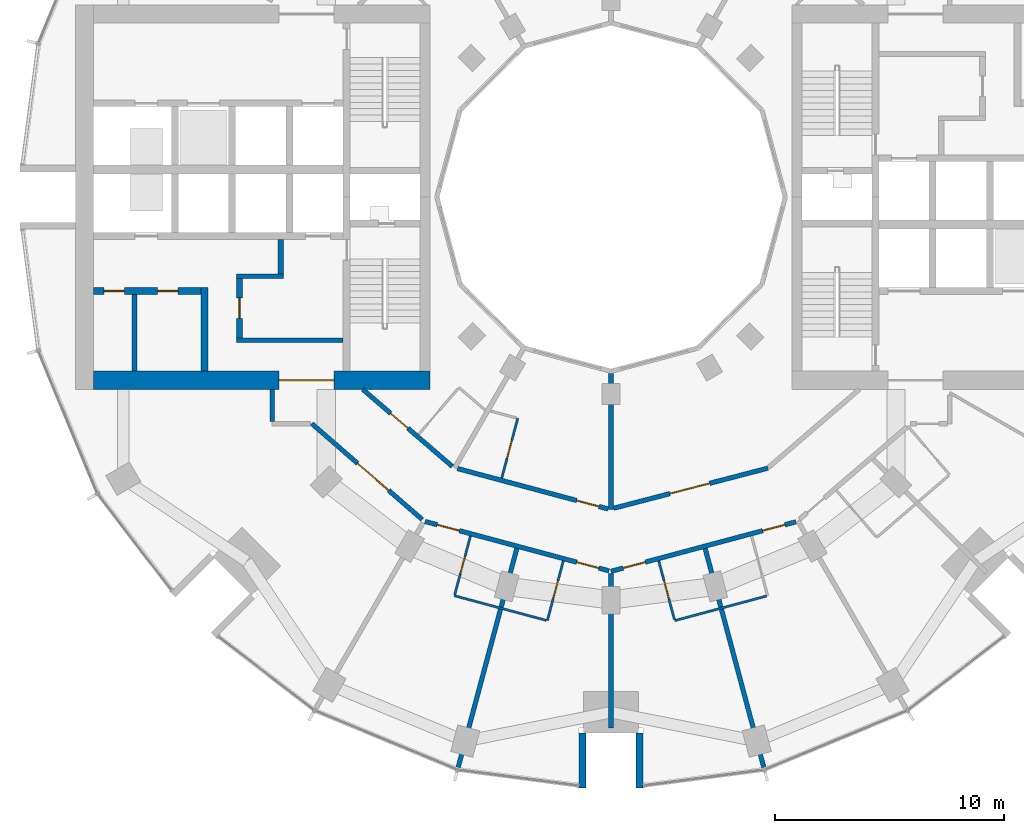
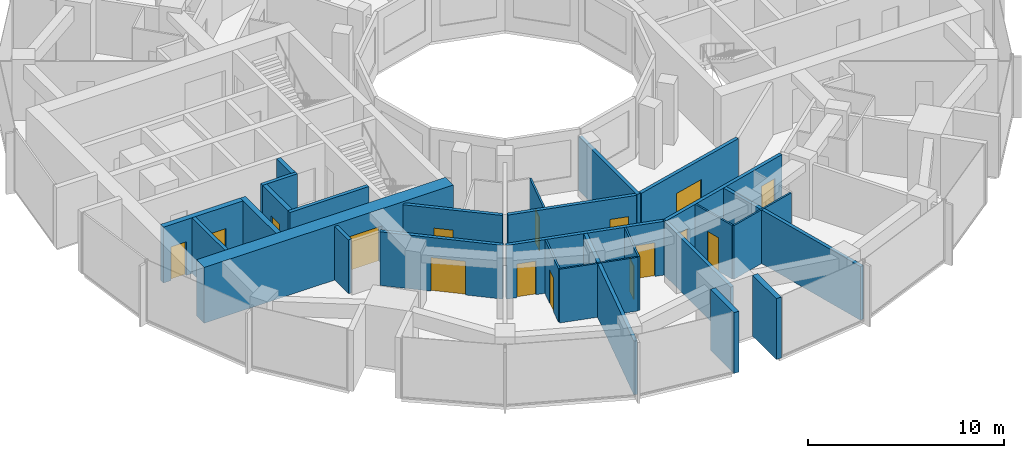
# One storey, part 8 of 15: 27 walls, 16 doors, 16 openings.
"""IFC4 building model written with IfcOpenShell, lengths in metres."""

from ifc_helpers import new_model, si_unit, direction, frame, frame_2d, origin, place, context, subcontext, project, spatial, rectangle, extrude, material, layer, layer_set, type_object, element, fill, save


model = new_model("IFC4")

# Units and contexts
model_context = context("Model", 3, precision=1e-05, world=origin(), true_north=direction((0.0, 1.0)))
body_context = subcontext(model_context, "Body", "Model", "MODEL_VIEW")
ifc_project = project(units=[si_unit("LENGTHUNIT", "METRE"), si_unit("AREAUNIT", "SQUARE_METRE"), si_unit("VOLUMEUNIT", "CUBIC_METRE"), si_unit("PLANEANGLEUNIT", "RADIAN"), si_unit("MASSUNIT", "GRAM", prefix="KILO")], contexts=[model_context])

# Site, building, storey
site_placement = place(None, origin())
site = spatial("IfcSite", under=ifc_project, at=site_placement, CompositionType="ELEMENT")
building_placement = place(site_placement, origin())
building = spatial("IfcBuilding", under=site, at=building_placement, Name="Torre Brocal", CompositionType="ELEMENT")
storey_placement = place(building_placement, frame((0.0, 0.0, 63.0)))
storey = spatial("IfcBuildingStorey", under=building, at=storey_placement, Name="L14", CompositionType="ELEMENT", Elevation=63.0)

# Walls
ifc_material_1 = material(Name="Masonry block", Category="masonry")
ifc_layer_1 = layer(ifc_material_1, 0.199951171875)
ifc_layer_set_1 = layer_set([ifc_layer_1], Name="Masonry block")
wall_type_1 = type_object("IfcWallType", Name="CORE PARTITION 200", PredefinedType="PARTITIONING", material=ifc_layer_set_1)
wall_1_placement = place(storey_placement, frame((59.18603515625, 70.75, 0.0), z_axis=(0.0, 0.0, 1.0), x_axis=(0.0, -1.0, 0.0)))
element("IfcWall", 1, at=wall_1_placement, inside=storey, type_object=wall_type_1, Name="Wall CP200", PredefinedType="PARTITIONING", context=body_context, shape_type="SweptSolid", body=[
    extrude(rectangle(XDim=3.35009765625, YDim=0.199951171875, at=frame_2d((1.675048828125, 0.0))), origin(), (0.0, 0.0, 1.0), 3.47998046875),
])
ifc_material_2 = material(Name="Concrete C80", Category="concrete")
ifc_layer_2 = layer(ifc_material_2, 0.199951171875)
ifc_layer_set_2 = layer_set([ifc_layer_2], Name="Concrete C80")
wall_type_2 = type_object("IfcWallType", Name="CORE WALL 200 C80", PredefinedType="SHEAR", material=ifc_layer_set_2)
wall_2_placement = place(storey_placement, frame((68.300048828125, 68.75, 0.0), z_axis=(0.0, 0.0, 1.0), x_axis=(-1.0, 0.0, 0.0)))
element("IfcWall", 2, at=wall_2_placement, inside=storey, type_object=wall_type_2, Name="Wall CW200-80", PredefinedType="SHEAR", context=body_context, shape_type="SweptSolid", body=[
    extrude(rectangle(XDim=4.650146484375, YDim=0.199951171875, at=frame_2d((2.3251953125, 0.0))), origin(), (0.0, 0.0, 1.0), 3.47998046875),
])
wall_3_placement = place(storey_placement, frame((65.699951171875, 71.550048828125, 0.0), z_axis=(0.0, 0.0, 1.0), x_axis=(-1.0, 0.0, 0.0)))
element("IfcWall", 3, at=wall_3_placement, inside=storey, type_object=wall_type_2, Name="Wall CW200-80", PredefinedType="SHEAR", context=body_context, shape_type="SweptSolid", body=[
    extrude(rectangle(XDim=2.050048828125, YDim=0.199951171875, at=frame_2d((1.02490234375, 0.0))), origin(), (0.0, 0.0, 1.0), 3.47998046875),
])

# Wall, opening, door
ifc_material_3 = material(Name="Concrete C80", Category="concrete")
ifc_layer_3 = layer(ifc_material_3, 0.25)
ifc_layer_set_3 = layer_set([ifc_layer_3], Name="Concrete C80")
wall_type_3 = type_object("IfcWallType", Name="CORE WALL 250 C80", PredefinedType="SHEAR", material=ifc_layer_set_3)
wall_4_placement = place(storey_placement, frame((63.77490234375, 71.449951171875, 0.0), z_axis=(0.0, 0.0, 1.0), x_axis=(0.0, -1.0, 0.0)))
wall_4 = element("IfcWall", 4, at=wall_4_placement, inside=storey, type_object=wall_type_3, Name="Wall CW250-80", PredefinedType="SHEAR", context=body_context, shape_type="SweptSolid", body=[
    extrude(rectangle(XDim=2.599853515625, YDim=0.25, at=frame_2d((1.2998046875, 0.0))), origin(), (0.0, 0.0, 1.0), 3.47998046875),
])
opening_1_placement = place(wall_4_placement, frame((0.85009765625, 0.0, 0.0)))
opening_1 = element("IfcOpeningElement", 5, at=opening_1_placement, cuts=wall_4, Name="Opening W-D15", PredefinedType="OPENING", context=body_context, shape_type="SweptSolid", body=[
    extrude(rectangle(XDim=0.89990234375, YDim=2.10009765625, at=frame_2d((0.449951171875, 1.050048828125))), frame((0.0, 0.135009765625, 0.0), z_axis=(0.0, -1.0, 0.0), x_axis=(1.0, 0.0, 0.0)), (0.0, 0.0, 1.0), 0.27001953125),
])
ifc_material_4 = material(Name="Steel A653", Category="steel")
door_type_1 = type_object("IfcDoorType", Name="LOBBY DOOR FD120 900X2100", OperationType="SINGLE_SWING_RIGHT", PredefinedType="DOOR", material=ifc_material_4)
door_1_placement = place(opening_1_placement, origin())
door_1 = element("IfcDoor", 6, at=door_1_placement, inside=storey, type_object=door_type_1, Name="Door W-D15", OperationType="SINGLE_SWING_LEFT", OverallHeight=2.10009765625, OverallWidth=0.89990234375, PredefinedType="DOOR", context=body_context, shape_type="SweptSolid", body=[
    extrude(rectangle(XDim=0.89990234375, YDim=2.10009765625, at=frame_2d((0.449951171875, 1.050048828125))), frame((0.0, 0.02490234375, 0.0), z_axis=(0.0, -1.0, 0.0), x_axis=(1.0, 0.0, 0.0)), (0.0, 0.0, 1.0), 0.050048828125),
])
fill(opening_1, door_1)

# Walls
wall_5_placement = place(storey_placement, frame((65.574951171875, 73.14990234375, 0.0), z_axis=(0.0, 0.0, 1.0), x_axis=(0.0, -1.0, 0.0)))
element("IfcWall", 7, at=wall_5_placement, inside=storey, type_object=wall_type_3, Name="Wall CW250-80", PredefinedType="SHEAR", context=body_context, shape_type="SweptSolid", body=[
    extrude(rectangle(XDim=1.5, YDim=0.25, at=frame_2d((0.75, 0.0))), origin(), (0.0, 0.0, 1.0), 3.47998046875),
])
ifc_material_5 = material(Name="Concrete C80", Category="concrete")
ifc_layer_4 = layer(ifc_material_5, 0.300048828125)
ifc_layer_set_4 = layer_set([ifc_layer_4], Name="Concrete C80")
wall_type_4 = type_object("IfcWallType", Name="CORE WALL 300 C80", PredefinedType="SHEAR", material=ifc_layer_set_4)
wall_6_placement = place(storey_placement, frame((62.25, 71.050048828125, 0.0), z_axis=(0.0, 0.0, 1.0), x_axis=(0.0, -1.0, 0.0)))
element("IfcWall", 8, at=wall_6_placement, inside=storey, type_object=wall_type_4, Name="Wall CW300-80", PredefinedType="SHEAR", context=body_context, shape_type="SweptSolid", body=[
    extrude(rectangle(XDim=3.650146484375, YDim=0.300048828125, at=frame_2d((1.8251953125, 0.0))), origin(), (0.0, 0.0, 1.0), 3.47998046875),
])

# Wall, openings, doors
wall_7_placement = place(storey_placement, frame((62.10009765625, 70.89990234375, 0.0), z_axis=(0.0, 0.0, 1.0), x_axis=(-1.0, 0.0, 0.0)))
wall_7 = element("IfcWall", 9, at=wall_7_placement, inside=storey, type_object=wall_type_4, Name="Wall CW300-80", PredefinedType="SHEAR", context=body_context, shape_type="SweptSolid", body=[
    extrude(rectangle(XDim=4.7001953125, YDim=0.300048828125, at=frame_2d((2.35009765625, 0.0))), origin(), (0.0, 0.0, 1.0), 3.47998046875),
])
opening_2_placement = place(wall_7_placement, frame((1.007080078125, 0.0, 0.0)))
opening_2 = element("IfcOpeningElement", 10, at=opening_2_placement, cuts=wall_7, Name="Opening W-D05", PredefinedType="OPENING", context=body_context, shape_type="SweptSolid", body=[
    extrude(rectangle(XDim=0.89990234375, YDim=2.10009765625, at=frame_2d((0.449951171875, 1.050048828125))), frame((0.0, 0.159912109375, 0.0), z_axis=(0.0, -1.0, 0.0), x_axis=(1.0, 0.0, 0.0)), (0.0, 0.0, 1.0), 0.320068359375),
])
opening_3_placement = place(wall_7_placement, frame((3.35693359375, 0.0, 0.0)))
opening_3 = element("IfcOpeningElement", 11, at=opening_3_placement, cuts=wall_7, Name="Opening W-D06", PredefinedType="OPENING", context=body_context, shape_type="SweptSolid", body=[
    extrude(rectangle(XDim=0.89990234375, YDim=2.10009765625, at=frame_2d((0.449951171875, 1.050048828125))), frame((0.0, 0.159912109375, 0.0), z_axis=(0.0, -1.0, 0.0), x_axis=(1.0, 0.0, 0.0)), (0.0, 0.0, 1.0), 0.320068359375),
])
ifc_material_6 = material(Name="Steel A653", Category="steel")
door_type_2 = type_object("IfcDoorType", Name="ROOM DOOR FD30S 900X2100", OperationType="SINGLE_SWING_LEFT", PredefinedType="DOOR", material=ifc_material_6)
door_2_placement = place(opening_2_placement, origin())
door_2 = element("IfcDoor", 12, at=door_2_placement, inside=storey, type_object=door_type_2, Name="Door W-D05", OperationType="SINGLE_SWING_RIGHT", OverallHeight=2.10009765625, OverallWidth=0.89990234375, PredefinedType="DOOR", context=body_context, shape_type="SweptSolid", body=[
    extrude(rectangle(XDim=0.89990234375, YDim=2.10009765625, at=frame_2d((0.449951171875, 1.050048828125))), frame((0.0, 0.02490234375, 0.0), z_axis=(0.0, -1.0, 0.0), x_axis=(1.0, 0.0, 0.0)), (0.0, 0.0, 1.0), 0.050048828125),
])
fill(opening_2, door_2)
door_3_placement = place(opening_3_placement, origin())
door_3 = element("IfcDoor", 13, at=door_3_placement, inside=storey, type_object=door_type_2, Name="Door W-D06", OperationType="SINGLE_SWING_LEFT", OverallHeight=2.10009765625, OverallWidth=0.89990234375, PredefinedType="DOOR", context=body_context, shape_type="SweptSolid", body=[
    extrude(rectangle(XDim=0.89990234375, YDim=2.10009765625, at=frame_2d((0.449951171875, 1.050048828125))), frame((0.0, 0.02490234375, 0.0), z_axis=(0.0, -1.0, 0.0), x_axis=(1.0, 0.0, 0.0)), (0.0, 0.0, 1.0), 0.050048828125),
])
fill(opening_3, door_3)

# Wall, opening, door
ifc_material_7 = material(Name="Concrete C80", Category="concrete")
ifc_layer_5 = layer(ifc_material_7, 0.800048828125)
ifc_layer_set_5 = layer_set([ifc_layer_5], Name="Concrete C80")
wall_type_5 = type_object("IfcWallType", Name="CORE WALL 800 C80", PredefinedType="SHEAR", material=ifc_layer_set_5)
wall_8_placement = place(storey_placement, frame((72.10009765625, 67.0, 0.0), z_axis=(0.0, 0.0, 1.0), x_axis=(-1.0, 0.0, 0.0)))
wall_8 = element("IfcWall", 14, at=wall_8_placement, inside=storey, type_object=wall_type_5, Name="Wall CW800-80", PredefinedType="SHEAR", context=body_context, shape_type="SweptSolid", body=[
    extrude(rectangle(XDim=14.7001953125, YDim=0.800048828125, at=frame_2d((7.35009765625, 0.0))), origin(), (0.0, 0.0, 1.0), 3.47998046875),
])
opening_4_placement = place(wall_8_placement, frame((4.199951171875, 0.0, 0.0)))
opening_4 = element("IfcOpeningElement", 15, at=opening_4_placement, cuts=wall_8, Name="Opening W-D24", PredefinedType="OPENING", context=body_context, shape_type="SweptSolid", body=[
    extrude(rectangle(XDim=2.39990234375, YDim=2.39990234375, at=frame_2d((1.199951171875, 1.199951171875))), frame((0.0, 0.409912109375, 0.0), z_axis=(0.0, -1.0, 0.0), x_axis=(1.0, 0.0, 0.0)), (0.0, 0.0, 1.0), 0.820068359375),
])
ifc_material_8 = material(Name="Steel A653", Category="steel")
door_type_3 = type_object("IfcDoorType", Name="DOUBLE FIRE DOOR FD90 2400X2400", OperationType="DOUBLE_DOOR_SINGLE_SWING", PredefinedType="DOOR", material=ifc_material_8)
door_4_placement = place(opening_4_placement, frame((2.39990234375, 0.0, 0.0), z_axis=(0.0, 0.0, 1.0), x_axis=(-1.0, 0.0, 0.0)))
door_4 = element("IfcDoor", 16, at=door_4_placement, inside=storey, type_object=door_type_3, Name="Door W-D24", OperationType="DOUBLE_DOOR_SINGLE_SWING", OverallHeight=2.39990234375, OverallWidth=2.39990234375, PredefinedType="DOOR", context=body_context, shape_type="SweptSolid", body=[
    extrude(rectangle(XDim=2.39990234375, YDim=2.39990234375, at=frame_2d((1.199951171875, 1.199951171875))), frame((0.0, 0.02490234375, 0.0), z_axis=(0.0, -1.0, 0.0), x_axis=(1.0, 0.0, 0.0)), (0.0, 0.0, 1.0), 0.050048828125),
])
fill(opening_4, door_4)

# Walls
ifc_material_9 = material(Name="Concrete C80", Category="concrete")
ifc_layer_6 = layer(ifc_material_9, 0.300048828125)
ifc_layer_set_6 = layer_set([ifc_layer_6], Name="Concrete C80")
wall_type_6 = type_object("IfcWallType", Name="NOTCH RETURN WALL 300 C80", PredefinedType="NOTDEFINED", material=ifc_layer_set_6)
for number, where, z_axis, x_axis, name in (
    (17, (78.75, 51.60009765625, 0.0), (0.0, 0.0, 1.0), (0.0, -1.0, 0.0), "NOTCH RETURN WALL"),
    (18, (81.25, 51.60009765625, 0.0), (0.0, 0.0, 1.0), (0.0, -1.0, 0.0), "NOTCH RETURN WALL"),
):
    element("IfcWall", number, at=place(storey_placement, frame(where, z_axis=z_axis, x_axis=x_axis)), inside=storey, type_object=wall_type_6, Name=name, PredefinedType="NOTDEFINED", context=body_context, shape_type="SweptSolid", body=[
        extrude(rectangle(XDim=2.415771484375, YDim=0.300048828125, at=frame_2d((1.2080078125, 0.0))), origin(), (0.0, 0.0, 1.0), 3.800048828125),
    ])

# Wall, opening, door
ifc_material_10 = material(Name="Gypsum board", Category="Gypsum")
ifc_layer_7 = layer(ifc_material_10, 0.10009765625)
ifc_layer_set_7 = layer_set([ifc_layer_7], Name="Gypsum board")
wall_type_7 = type_object("IfcWallType", Name="PARTITION 100", PredefinedType="PARTITIONING", material=ifc_layer_set_7)
wall_9_placement = place(storey_placement, frame((73.173828125, 57.63623046875, 0.0), z_axis=(0.0, 0.0, 1.0), x_axis=(0.258952498977, 0.96589005755, 0.0)))
wall_9 = element("IfcWall", 19, at=wall_9_placement, inside=storey, type_object=wall_type_7, Name="BATHROOM WALL", PredefinedType="PARTITIONING", context=body_context, shape_type="SweptSolid", body=[
    extrude(rectangle(XDim=2.650146484375, YDim=0.10009765625, at=frame_2d((1.3251953125, 0.0))), origin(), (0.0, 0.0, 1.0), 3.35009765625),
])
opening_5_placement = place(wall_9_placement, frame((0.9501953125, 0.0, 0.0)))
opening_5 = element("IfcOpeningElement", 20, at=opening_5_placement, cuts=wall_9, Name="Opening H04-D32", PredefinedType="OPENING", context=body_context, shape_type="SweptSolid", body=[
    extrude(rectangle(XDim=0.800048828125, YDim=2.10009765625, at=frame_2d((0.39990234375, 1.050048828125))), frame((0.0, 0.06005859375, 0.0), z_axis=(0.0, -1.0, 0.0), x_axis=(1.0, 0.0, 0.0)), (0.0, 0.0, 1.0), 0.1201171875),
])
ifc_material_11 = material(Name="Timber", Category="wood")
door_type_4 = type_object("IfcDoorType", Name="BATHROOM DOOR 800X2100", OperationType="SINGLE_SWING_LEFT", PredefinedType="DOOR", material=ifc_material_11)
door_5_placement = place(opening_5_placement, frame((0.800048828125, 0.0, 0.0), z_axis=(0.0, 0.0, 1.0), x_axis=(-1.0, 0.0, 0.0)))
door_5 = element("IfcDoor", 21, at=door_5_placement, inside=storey, type_object=door_type_4, Name="H04-D32", OperationType="SINGLE_SWING_LEFT", OverallHeight=2.10009765625, OverallWidth=0.800048828125, PredefinedType="DOOR", context=body_context, shape_type="SweptSolid", body=[
    extrude(rectangle(XDim=0.800048828125, YDim=2.10009765625, at=frame_2d((0.39990234375, 1.050048828125))), frame((0.0, 0.02490234375, 0.0), z_axis=(0.0, -1.0, 0.0), x_axis=(1.0, 0.0, 0.0)), (0.0, 0.0, 1.0), 0.050048828125),
])
fill(opening_5, door_5)

# Wall
wall_10_placement = place(storey_placement, frame((73.160888671875, 57.587890625, 0.0), z_axis=(0.0, 0.0, 1.0), x_axis=(0.965858994467, -0.259068336173, 0.0)))
element("IfcWall", 22, at=wall_10_placement, inside=storey, type_object=wall_type_7, Name="BATHROOM WALL", PredefinedType="PARTITIONING", context=body_context, shape_type="SweptSolid", body=[
    extrude(rectangle(XDim=4.150146484375, YDim=0.10009765625, at=frame_2d((2.0751953125, 0.0))), origin(), (0.0, 0.0, 1.0), 3.35009765625),
])

# Wall, opening, door
wall_11_placement = place(storey_placement, frame((75.226806640625, 62.728759765625, 0.0), z_axis=(0.0, 0.0, 1.0), x_axis=(0.258945475746, 0.965891940432, 0.0)))
wall_11 = element("IfcWall", 23, at=wall_11_placement, inside=storey, type_object=wall_type_7, Name="BATHROOM WALL", PredefinedType="PARTITIONING", context=body_context, shape_type="SweptSolid", body=[
    extrude(rectangle(XDim=2.7001953125, YDim=0.10009765625, at=frame_2d((1.35009765625, 0.0))), origin(), (0.0, 0.0, 1.0), 3.35009765625),
])
opening_6_placement = place(wall_11_placement, frame((0.900146484375, 0.0, 0.0)))
opening_6 = element("IfcOpeningElement", 24, at=opening_6_placement, cuts=wall_11, Name="Opening H04-D36", PredefinedType="OPENING", context=body_context, shape_type="SweptSolid", body=[
    extrude(rectangle(XDim=0.800048828125, YDim=2.10009765625, at=frame_2d((0.39990234375, 1.050048828125))), frame((0.0, 0.06005859375, 0.0), z_axis=(0.0, -1.0, 0.0), x_axis=(1.0, 0.0, 0.0)), (0.0, 0.0, 1.0), 0.1201171875),
])
door_6_placement = place(opening_6_placement, origin())
door_6 = element("IfcDoor", 25, at=door_6_placement, inside=storey, type_object=door_type_4, Name="H04-D36", OperationType="SINGLE_SWING_LEFT", OverallHeight=2.10009765625, OverallWidth=0.800048828125, PredefinedType="DOOR", context=body_context, shape_type="SweptSolid", body=[
    extrude(rectangle(XDim=0.800048828125, YDim=2.10009765625, at=frame_2d((0.39990234375, 1.050048828125))), frame((0.0, 0.02490234375, 0.0), z_axis=(0.0, -1.0, 0.0), x_axis=(1.0, 0.0, 0.0)), (0.0, 0.0, 1.0), 0.050048828125),
])
fill(opening_6, door_6)

wall_12_placement = place(storey_placement, frame((77.218017578125, 56.5009765625, 0.0), z_axis=(0.0, 0.0, 1.0), x_axis=(0.258591408257, 0.965986792651, 0.0)))
wall_12 = element("IfcWall", 26, at=wall_12_placement, inside=storey, type_object=wall_type_7, Name="BATHROOM WALL", PredefinedType="PARTITIONING", context=body_context, shape_type="SweptSolid", body=[
    extrude(rectangle(XDim=2.69921875, YDim=0.10009765625, at=frame_2d((1.349609375, 0.0))), origin(), (0.0, 0.0, 1.0), 3.35009765625),
])
opening_7_placement = place(wall_12_placement, frame((0.99951171875, 0.0, 0.0)))
opening_7 = element("IfcOpeningElement", 27, at=opening_7_placement, cuts=wall_12, Name="Opening H04-D30", PredefinedType="OPENING", context=body_context, shape_type="SweptSolid", body=[
    extrude(rectangle(XDim=0.800048828125, YDim=2.10009765625, at=frame_2d((0.39990234375, 1.050048828125))), frame((0.0, 0.06005859375, 0.0), z_axis=(0.0, -1.0, 0.0), x_axis=(1.0, 0.0, 0.0)), (0.0, 0.0, 1.0), 0.1201171875),
])
door_7_placement = place(opening_7_placement, origin())
door_7 = element("IfcDoor", 28, at=door_7_placement, inside=storey, type_object=door_type_4, Name="H04-D30", OperationType="SINGLE_SWING_RIGHT", OverallHeight=2.10009765625, OverallWidth=0.800048828125, PredefinedType="DOOR", context=body_context, shape_type="SweptSolid", body=[
    extrude(rectangle(XDim=0.800048828125, YDim=2.10009765625, at=frame_2d((0.39990234375, 1.050048828125))), frame((0.0, 0.02490234375, 0.0), z_axis=(0.0, -1.0, 0.0), x_axis=(1.0, 0.0, 0.0)), (0.0, 0.0, 1.0), 0.050048828125),
])
fill(opening_7, door_7)

wall_13_placement = place(storey_placement, frame((82.083984375, 59.1083984375, 0.0), z_axis=(0.0, 0.0, 1.0), x_axis=(0.258591746437, -0.965986702121, 0.0)))
wall_13 = element("IfcWall", 29, at=wall_13_placement, inside=storey, type_object=wall_type_7, Name="BATHROOM WALL", PredefinedType="PARTITIONING", context=body_context, shape_type="SweptSolid", body=[
    extrude(rectangle(XDim=2.649169921875, YDim=0.10009765625, at=frame_2d((1.32470703125, 0.0))), origin(), (0.0, 0.0, 1.0), 3.35009765625),
])
opening_8_placement = place(wall_13_placement, frame((0.899658203125, 0.0, 0.0)))
opening_8 = element("IfcOpeningElement", 30, at=opening_8_placement, cuts=wall_13, Name="Opening H04-D28", PredefinedType="OPENING", context=body_context, shape_type="SweptSolid", body=[
    extrude(rectangle(XDim=0.800048828125, YDim=2.10009765625, at=frame_2d((0.39990234375, 1.050048828125))), frame((0.0, 0.06005859375, 0.0), z_axis=(0.0, -1.0, 0.0), x_axis=(1.0, 0.0, 0.0)), (0.0, 0.0, 1.0), 0.1201171875),
])
door_8_placement = place(opening_8_placement, origin())
door_8 = element("IfcDoor", 31, at=door_8_placement, inside=storey, type_object=door_type_4, Name="H04-D28", OperationType="SINGLE_SWING_LEFT", OverallHeight=2.10009765625, OverallWidth=0.800048828125, PredefinedType="DOOR", context=body_context, shape_type="SweptSolid", body=[
    extrude(rectangle(XDim=0.800048828125, YDim=2.10009765625, at=frame_2d((0.39990234375, 1.050048828125))), frame((0.0, 0.02490234375, 0.0), z_axis=(0.0, -1.0, 0.0), x_axis=(1.0, 0.0, 0.0)), (0.0, 0.0, 1.0), 0.050048828125),
])
fill(opening_8, door_8)

# Walls
wall_14_placement = place(storey_placement, frame((82.781982421875, 56.5009765625, 0.0), z_axis=(0.0, 0.0, 1.0), x_axis=(0.965999228418, 0.258544949083, 0.0)))
element("IfcWall", 32, at=wall_14_placement, inside=storey, type_object=wall_type_7, Name="BATHROOM WALL", PredefinedType="PARTITIONING", context=body_context, shape_type="SweptSolid", body=[
    extrude(rectangle(XDim=4.150146484375, YDim=0.10009765625, at=frame_2d((2.0751953125, 0.0))), origin(), (0.0, 0.0, 1.0), 3.35009765625),
])
ifc_material_12 = material(Name="Gypsum board", Category="Gypsum")
ifc_layer_8 = layer(ifc_material_12, 0.199951171875)
ifc_layer_set_8 = layer_set([ifc_layer_8], Name="Gypsum board")
wall_type_8 = type_object("IfcWallType", Name="PARTITION 200 EI60", PredefinedType="PARTITIONING", material=ifc_layer_set_8)
wall_15_placement = place(storey_placement, frame((65.199951171875, 65.199951171875, 0.0), z_axis=(0.0, 0.0, 1.0), x_axis=(0.0, 1.0, 0.0)))
element("IfcWall", 33, at=wall_15_placement, inside=storey, type_object=wall_type_8, Name="CORRIDOR WALL", PredefinedType="PARTITIONING", context=body_context, shape_type="SweptSolid", body=[
    extrude(rectangle(XDim=1.399169921875, YDim=0.199951171875, at=frame_2d((0.69970703125, 0.0))), origin(), (0.0, 0.0, 1.0), 3.35009765625),
])

# Wall, opening, door
wall_16_placement = place(storey_placement, frame((66.92431640625, 65.110595703125, 0.0), z_axis=(0.0, 0.0, 1.0), x_axis=(0.755023669255, -0.655697536113, 0.0)))
wall_16 = element("IfcWall", 34, at=wall_16_placement, inside=storey, type_object=wall_type_8, Name="GUESTROOM CORRIDOR WALL", PredefinedType="PARTITIONING", context=body_context, shape_type="SweptSolid", body=[
    extrude(rectangle(XDim=6.395751953125, YDim=0.199951171875, at=frame_2d((3.19775390625, 0.0))), origin(), (0.0, 0.0, 1.0), 3.35009765625),
])
opening_9_placement = place(wall_16_placement, frame((2.65771484375, 0.0, 0.0)))
opening_9 = element("IfcOpeningElement", 35, at=opening_9_placement, cuts=wall_16, Name="Opening H04-D33", PredefinedType="OPENING", context=body_context, shape_type="SweptSolid", body=[
    extrude(rectangle(XDim=1.800048828125, YDim=2.10009765625, at=frame_2d((0.89990234375, 1.050048828125))), frame((0.0, 0.10986328125, 0.0), z_axis=(0.0, -1.0, 0.0), x_axis=(1.0, 0.0, 0.0)), (0.0, 0.0, 1.0), 0.219970703125),
])
ifc_material_13 = material(Name="Timber", Category="wood")
door_type_5 = type_object("IfcDoorType", Name="DOUBLE DOOR 1800X2100", OperationType="DOUBLE_DOOR_SINGLE_SWING", PredefinedType="DOOR", material=ifc_material_13)
door_9_placement = place(opening_9_placement, frame((1.800048828125, 0.0, 0.0), z_axis=(0.0, 0.0, 1.0), x_axis=(-1.0, 0.0, 0.0)))
door_9 = element("IfcDoor", 36, at=door_9_placement, inside=storey, type_object=door_type_5, Name="H04-D33", OperationType="DOUBLE_DOOR_SINGLE_SWING", OverallHeight=2.10009765625, OverallWidth=1.800048828125, PredefinedType="DOOR", context=body_context, shape_type="SweptSolid", body=[
    extrude(rectangle(XDim=1.800048828125, YDim=2.10009765625, at=frame_2d((0.89990234375, 1.050048828125))), frame((0.0, 0.02490234375, 0.0), z_axis=(0.0, -1.0, 0.0), x_axis=(1.0, 0.0, 0.0)), (0.0, 0.0, 1.0), 0.050048828125),
])
fill(opening_9, door_9)

wall_17_placement = place(storey_placement, frame((69.158203125, 66.60009765625, 0.0), z_axis=(0.0, 0.0, 1.0), x_axis=(0.757976058094, -0.652282373943, 0.0)))
wall_17 = element("IfcWall", 37, at=wall_17_placement, inside=storey, type_object=wall_type_8, Name="GUESTROOM CORRIDOR WALL", PredefinedType="PARTITIONING", context=body_context, shape_type="SweptSolid", body=[
    extrude(rectangle(XDim=5.160400390625, YDim=0.199951171875, at=frame_2d((2.580078125, 0.0))), origin(), (0.0, 0.0, 1.0), 3.35009765625),
])
opening_10_placement = place(wall_17_placement, frame((1.60009765625, 0.0, 0.0)))
opening_10 = element("IfcOpeningElement", 38, at=opening_10_placement, cuts=wall_17, Name="Opening H04-D37", PredefinedType="OPENING", context=body_context, shape_type="SweptSolid", body=[
    extrude(rectangle(XDim=1.0, YDim=2.10009765625, at=frame_2d((0.5, 1.050048828125))), frame((0.0, 0.10986328125, 0.0), z_axis=(0.0, -1.0, 0.0), x_axis=(1.0, 0.0, 0.0)), (0.0, 0.0, 1.0), 0.219970703125),
])
ifc_material_14 = material(Name="Timber", Category="wood")
door_type_6 = type_object("IfcDoorType", Name="FLAT ENTRY DOOR FD30S 1000X2100", OperationType="SINGLE_SWING_RIGHT", PredefinedType="DOOR", material=ifc_material_14)
door_10_placement = place(opening_10_placement, origin())
door_10 = element("IfcDoor", 39, at=door_10_placement, inside=storey, type_object=door_type_6, Name="H04-D37", OperationType="SINGLE_SWING_RIGHT", OverallHeight=2.10009765625, OverallWidth=1.0, PredefinedType="DOOR", context=body_context, shape_type="SweptSolid", body=[
    extrude(rectangle(XDim=1.0, YDim=2.10009765625, at=frame_2d((0.5, 1.050048828125))), frame((0.0, 0.02490234375, 0.0), z_axis=(0.0, -1.0, 0.0), x_axis=(1.0, 0.0, 0.0)), (0.0, 0.0, 1.0), 0.050048828125),
])
fill(opening_10, door_10)

# Wall, openings, doors
wall_18_placement = place(storey_placement, frame((71.877197265625, 60.83154296875, 0.0), z_axis=(0.0, 0.0, 1.0), x_axis=(0.965852509869, -0.259092510851, 0.0)))
wall_18 = element("IfcWall", 40, at=wall_18_placement, inside=storey, type_object=wall_type_8, Name="GUESTROOM CORRIDOR WALL", PredefinedType="PARTITIONING", context=body_context, shape_type="SweptSolid", body=[
    extrude(rectangle(XDim=8.319580078125, YDim=0.199951171875, at=frame_2d((4.15966796875, 0.0))), origin(), (0.0, 0.0, 1.0), 3.35009765625),
])
opening_11_placement = place(wall_18_placement, frame((6.859619140625, 0.0, 0.0)))
opening_11 = element("IfcOpeningElement", 41, at=opening_11_placement, cuts=wall_18, Name="Opening H04-D29", PredefinedType="OPENING", context=body_context, shape_type="SweptSolid", body=[
    extrude(rectangle(XDim=1.0, YDim=2.10009765625, at=frame_2d((0.5, 1.050048828125))), frame((0.0, 0.10986328125, 0.0), z_axis=(0.0, -1.0, 0.0), x_axis=(1.0, 0.0, 0.0)), (0.0, 0.0, 1.0), 0.219970703125),
])
opening_12_placement = place(wall_18_placement, frame((0.550048828125, 0.0, 0.0)))
opening_12 = element("IfcOpeningElement", 42, at=opening_12_placement, cuts=wall_18, Name="Opening H04-D31", PredefinedType="OPENING", context=body_context, shape_type="SweptSolid", body=[
    extrude(rectangle(XDim=1.0, YDim=2.10009765625, at=frame_2d((0.5, 1.050048828125))), frame((0.0, 0.10986328125, 0.0), z_axis=(0.0, -1.0, 0.0), x_axis=(1.0, 0.0, 0.0)), (0.0, 0.0, 1.0), 0.219970703125),
])
door_11_placement = place(opening_11_placement, frame((1.0, 0.0, 0.0), z_axis=(0.0, 0.0, 1.0), x_axis=(-1.0, 0.0, 0.0)))
door_11 = element("IfcDoor", 43, at=door_11_placement, inside=storey, type_object=door_type_6, Name="H04-D29", OperationType="SINGLE_SWING_RIGHT", OverallHeight=2.10009765625, OverallWidth=1.0, PredefinedType="DOOR", context=body_context, shape_type="SweptSolid", body=[
    extrude(rectangle(XDim=1.0, YDim=2.10009765625, at=frame_2d((0.5, 1.050048828125))), frame((0.0, 0.02490234375, 0.0), z_axis=(0.0, -1.0, 0.0), x_axis=(1.0, 0.0, 0.0)), (0.0, 0.0, 1.0), 0.050048828125),
])
fill(opening_11, door_11)
door_12_placement = place(opening_12_placement, frame((1.0, 0.0, 0.0), z_axis=(0.0, 0.0, 1.0), x_axis=(-1.0, 0.0, 0.0)))
door_12 = element("IfcDoor", 44, at=door_12_placement, inside=storey, type_object=door_type_6, Name="H04-D31", OperationType="SINGLE_SWING_LEFT", OverallHeight=2.10009765625, OverallWidth=1.0, PredefinedType="DOOR", context=body_context, shape_type="SweptSolid", body=[
    extrude(rectangle(XDim=1.0, YDim=2.10009765625, at=frame_2d((0.5, 1.050048828125))), frame((0.0, 0.02490234375, 0.0), z_axis=(0.0, -1.0, 0.0), x_axis=(1.0, 0.0, 0.0)), (0.0, 0.0, 1.0), 0.050048828125),
])
fill(opening_12, door_12)

# Wall, opening, door
wall_19_placement = place(storey_placement, frame((73.296875, 63.142578125, 0.0), z_axis=(0.0, 0.0, 1.0), x_axis=(0.965859030528, -0.25906820173, 0.0)))
wall_19 = element("IfcWall", 45, at=wall_19_placement, inside=storey, type_object=wall_type_8, Name="GUESTROOM CORRIDOR WALL", PredefinedType="PARTITIONING", context=body_context, shape_type="SweptSolid", body=[
    extrude(rectangle(XDim=6.8095703125, YDim=0.199951171875, at=frame_2d((3.40478515625, 0.0))), origin(), (0.0, 0.0, 1.0), 3.35009765625),
])
opening_13_placement = place(wall_19_placement, frame((5.3896484375, 0.0, 0.0)))
opening_13 = element("IfcOpeningElement", 46, at=opening_13_placement, cuts=wall_19, Name="Opening H04-D35", PredefinedType="OPENING", context=body_context, shape_type="SweptSolid", body=[
    extrude(rectangle(XDim=1.0, YDim=2.10009765625, at=frame_2d((0.5, 1.050048828125))), frame((0.0, 0.10986328125, 0.0), z_axis=(0.0, -1.0, 0.0), x_axis=(1.0, 0.0, 0.0)), (0.0, 0.0, 1.0), 0.219970703125),
])
door_13_placement = place(opening_13_placement, origin())
door_13 = element("IfcDoor", 47, at=door_13_placement, inside=storey, type_object=door_type_6, Name="H04-D35", OperationType="SINGLE_SWING_RIGHT", OverallHeight=2.10009765625, OverallWidth=1.0, PredefinedType="DOOR", context=body_context, shape_type="SweptSolid", body=[
    extrude(rectangle(XDim=1.0, YDim=2.10009765625, at=frame_2d((0.5, 1.050048828125))), frame((0.0, 0.02490234375, 0.0), z_axis=(0.0, -1.0, 0.0), x_axis=(1.0, 0.0, 0.0)), (0.0, 0.0, 1.0), 0.050048828125),
])
fill(opening_13, door_13)

# Wall
wall_20_placement = place(storey_placement, frame((73.32080078125, 50.081298828125, 0.0), z_axis=(0.0, 0.0, 1.0), x_axis=(0.258889198551, 0.965907025999, 0.0)))
element("IfcWall", 48, at=wall_20_placement, inside=storey, type_object=wall_type_8, Name="BATHROOM WALL", PredefinedType="PARTITIONING", context=body_context, shape_type="SweptSolid", body=[
    extrude(rectangle(XDim=9.909423828125, YDim=0.199951171875, at=frame_2d((4.95458984375, 0.0))), origin(), (0.0, 0.0, 1.0), 3.35009765625),
])

# Wall, opening, door
wall_21_placement = place(storey_placement, frame((80.11865234375, 61.409912109375, 0.0), z_axis=(0.0, 0.0, 1.0), x_axis=(0.967823361235, 0.251630565408, 0.0)))
wall_21 = element("IfcWall", 49, at=wall_21_placement, inside=storey, type_object=wall_type_8, Name="GUESTROOM CORRIDOR WALL", PredefinedType="PARTITIONING", context=body_context, shape_type="SweptSolid", body=[
    extrude(rectangle(XDim=6.95849609375, YDim=0.199951171875, at=frame_2d((3.479248046875, 0.0))), origin(), (0.0, 0.0, 1.0), 3.35009765625),
])
opening_14_placement = place(wall_21_placement, frame((2.52880859375, 0.0, 0.0)))
opening_14 = element("IfcOpeningElement", 50, at=opening_14_placement, cuts=wall_21, Name="Opening H04-D34", PredefinedType="OPENING", context=body_context, shape_type="SweptSolid", body=[
    extrude(rectangle(XDim=1.800048828125, YDim=2.10009765625, at=frame_2d((0.89990234375, 1.050048828125))), frame((0.0, 0.10986328125, 0.0), z_axis=(0.0, -1.0, 0.0), x_axis=(1.0, 0.0, 0.0)), (0.0, 0.0, 1.0), 0.219970703125),
])
door_14_placement = place(opening_14_placement, origin())
door_14 = element("IfcDoor", 51, at=door_14_placement, inside=storey, type_object=door_type_5, Name="H04-D34", OperationType="DOUBLE_DOOR_SINGLE_SWING", OverallHeight=2.10009765625, OverallWidth=1.800048828125, PredefinedType="DOOR", context=body_context, shape_type="SweptSolid", body=[
    extrude(rectangle(XDim=1.800048828125, YDim=2.10009765625, at=frame_2d((0.89990234375, 1.050048828125))), frame((0.0, 0.02490234375, 0.0), z_axis=(0.0, -1.0, 0.0), x_axis=(1.0, 0.0, 0.0)), (0.0, 0.0, 1.0), 0.050048828125),
])
fill(opening_14, door_14)

# Wall
wall_22_placement = place(storey_placement, frame((80.0, 51.800048828125, 0.0), z_axis=(0.0, 0.0, 1.0), x_axis=(0.0, 1.0, 0.0)))
element("IfcWall", 52, at=wall_22_placement, inside=storey, type_object=wall_type_8, Name="PARTY PARTITION", PredefinedType="PARTITIONING", context=body_context, shape_type="SweptSolid", body=[
    extrude(rectangle(XDim=6.763916015625, YDim=0.199951171875, at=frame_2d((3.3818359375, 0.0))), origin(), (0.0, 0.0, 1.0), 3.35009765625),
])

# Wall, openings, doors
wall_23_placement = place(storey_placement, frame((79.999755859375, 58.65478515625, 0.0), z_axis=(0.0, 0.0, 1.0), x_axis=(0.965974635626, 0.258636817424, 0.0)))
wall_23 = element("IfcWall", 53, at=wall_23_placement, inside=storey, type_object=wall_type_8, Name="GUESTROOM CORRIDOR WALL", PredefinedType="PARTITIONING", context=body_context, shape_type="SweptSolid", body=[
    extrude(rectangle(XDim=8.359619140625, YDim=0.199951171875, at=frame_2d((4.1796875, 0.0))), origin(), (0.0, 0.0, 1.0), 3.35009765625),
])
opening_15_placement = place(wall_23_placement, frame((6.859619140625, 0.0, 0.0)))
opening_15 = element("IfcOpeningElement", 54, at=opening_15_placement, cuts=wall_23, Name="Opening H04-D25", PredefinedType="OPENING", context=body_context, shape_type="SweptSolid", body=[
    extrude(rectangle(XDim=1.0, YDim=2.10009765625, at=frame_2d((0.5, 1.050048828125))), frame((0.0, 0.10986328125, 0.0), z_axis=(0.0, -1.0, 0.0), x_axis=(1.0, 0.0, 0.0)), (0.0, 0.0, 1.0), 0.219970703125),
])
opening_16_placement = place(wall_23_placement, frame((0.550048828125, 0.0, 0.0)))
opening_16 = element("IfcOpeningElement", 55, at=opening_16_placement, cuts=wall_23, Name="Opening H04-D27", PredefinedType="OPENING", context=body_context, shape_type="SweptSolid", body=[
    extrude(rectangle(XDim=1.0, YDim=2.10009765625, at=frame_2d((0.5, 1.050048828125))), frame((0.0, 0.10986328125, 0.0), z_axis=(0.0, -1.0, 0.0), x_axis=(1.0, 0.0, 0.0)), (0.0, 0.0, 1.0), 0.219970703125),
])
door_15_placement = place(opening_15_placement, frame((1.0, 0.0, 0.0), z_axis=(0.0, 0.0, 1.0), x_axis=(-1.0, 0.0, 0.0)))
door_15 = element("IfcDoor", 56, at=door_15_placement, inside=storey, type_object=door_type_6, Name="H04-D25", OperationType="SINGLE_SWING_RIGHT", OverallHeight=2.10009765625, OverallWidth=1.0, PredefinedType="DOOR", context=body_context, shape_type="SweptSolid", body=[
    extrude(rectangle(XDim=1.0, YDim=2.10009765625, at=frame_2d((0.5, 1.050048828125))), frame((0.0, 0.02490234375, 0.0), z_axis=(0.0, -1.0, 0.0), x_axis=(1.0, 0.0, 0.0)), (0.0, 0.0, 1.0), 0.050048828125),
])
fill(opening_15, door_15)
door_16_placement = place(opening_16_placement, frame((1.0, 0.0, 0.0), z_axis=(0.0, 0.0, 1.0), x_axis=(-1.0, 0.0, 0.0)))
door_16 = element("IfcDoor", 57, at=door_16_placement, inside=storey, type_object=door_type_6, Name="H04-D27", OperationType="SINGLE_SWING_LEFT", OverallHeight=2.10009765625, OverallWidth=1.0, PredefinedType="DOOR", context=body_context, shape_type="SweptSolid", body=[
    extrude(rectangle(XDim=1.0, YDim=2.10009765625, at=frame_2d((0.5, 1.050048828125))), frame((0.0, 0.02490234375, 0.0), z_axis=(0.0, -1.0, 0.0), x_axis=(1.0, 0.0, 0.0)), (0.0, 0.0, 1.0), 0.050048828125),
])
fill(opening_16, door_16)

# Walls
wall_24_placement = place(storey_placement, frame((80.0, 61.346923828125, 0.0), z_axis=(0.0, 0.0, 1.0), x_axis=(0.0, 1.0, 0.0)))
element("IfcWall", 58, at=wall_24_placement, inside=storey, type_object=wall_type_8, Name="PARTY PARTITION", PredefinedType="PARTITIONING", context=body_context, shape_type="SweptSolid", body=[
    extrude(rectangle(XDim=5.953125, YDim=0.199951171875, at=frame_2d((2.9765625, 0.0))), origin(), (0.0, 0.0, 1.0), 3.35009765625),
])
wall_25_placement = place(storey_placement, frame((84.112060546875, 59.65234375, 0.0), z_axis=(0.0, 0.0, 1.0), x_axis=(0.258791091927, -0.965933315886, 0.0)))
element("IfcWall", 59, at=wall_25_placement, inside=storey, type_object=wall_type_8, Name="BATHROOM WALL", PredefinedType="PARTITIONING", context=body_context, shape_type="SweptSolid", body=[
    extrude(rectangle(XDim=9.909423828125, YDim=0.199951171875, at=frame_2d((4.95458984375, 0.0))), origin(), (0.0, 0.0, 1.0), 3.35009765625),
])

save(model, "model.ifc")
